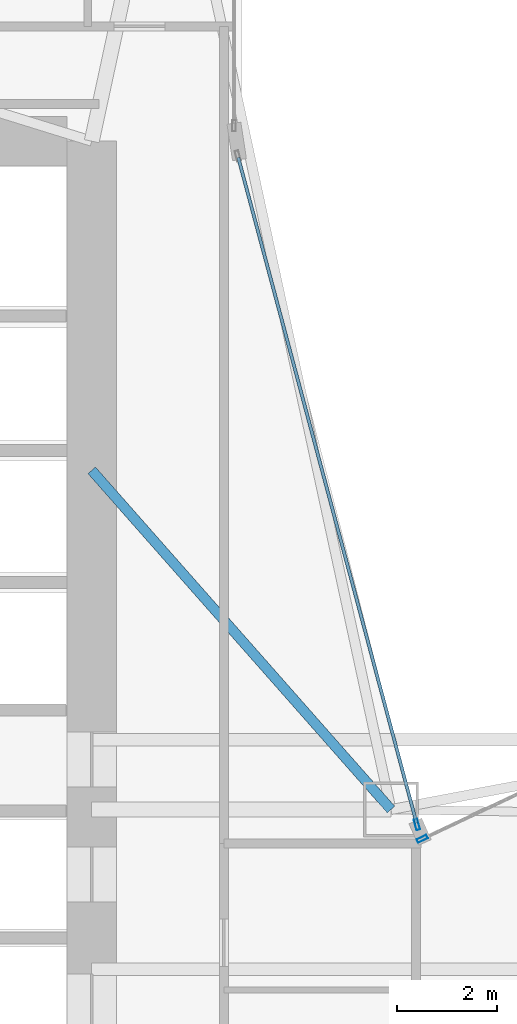
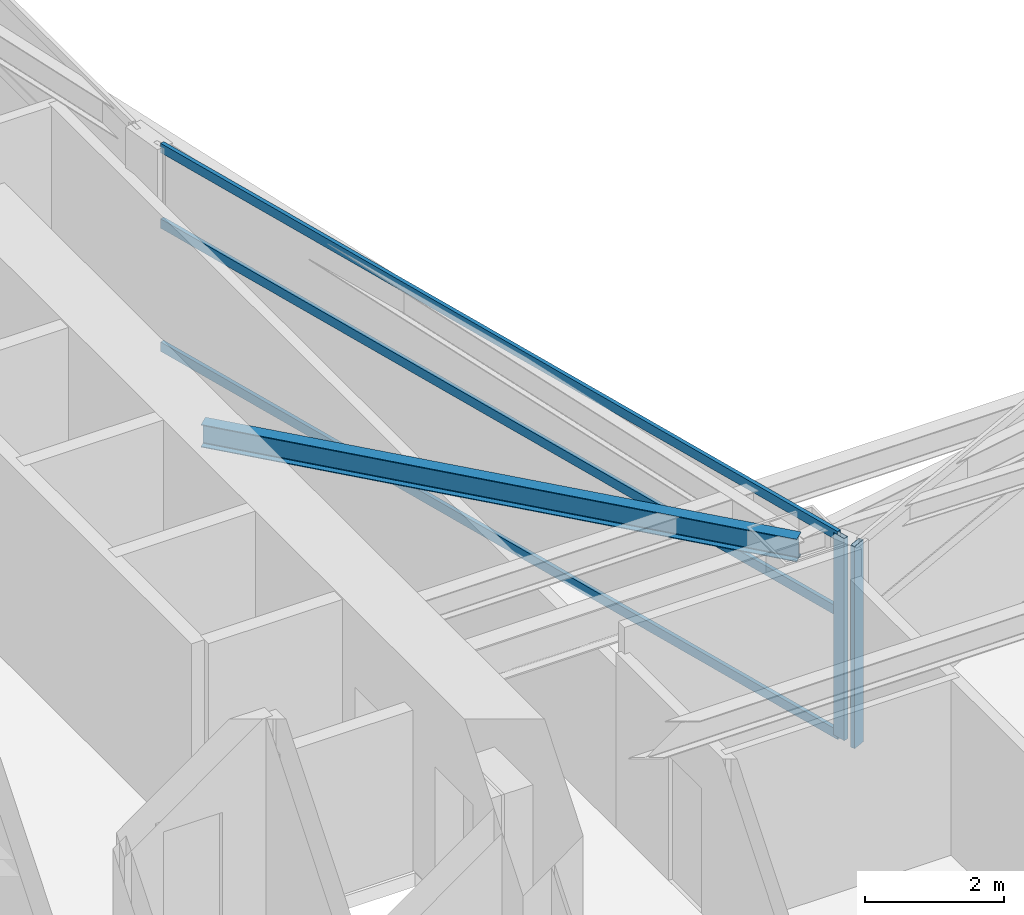
# One storey, part 10 of 29: 5 members, 1 beam, 2 elements without a shape of their own.
"""IFC4 building model written with IfcOpenShell, lengths in metres."""

import ifcopenshell
import ifcopenshell.guid

model = None  # the IFC model being written
_history = None  # IfcOwnerHistory: only IFC2X3 demands one
_inside = {}  # id of a spatial element -> (the spatial element, [elements in it])
_under = {}  # id of a project, library or spatial element -> (it, [spatial elements below it])
_declared = {}  # id of a project -> (the project, [libraries it declares])
_typed = {}  # id of a type object -> (the type object, [elements of that type])
_made_of = {}  # id of a material, layer set ... -> (it, [elements and type objects made of it])


def new_model(schema):
    """Start an empty IFC model of exactly this schema.

    Asked for "IFC4X3", IfcOpenShell would pick the latest addendum, in which some entities
    have other attributes; the version numbers below select the first issue.
    IFC2X3 requires an IfcOwnerHistory on every rooted entity: one is made here for all.
    """
    global model, _history
    if schema == "IFC4X3":
        model = ifcopenshell.file(schema_version=(4, 3, 0, 0))
    else:
        model = ifcopenshell.file(schema=schema)
    _inside.clear()
    _under.clear()
    _declared.clear()
    _typed.clear()
    _made_of.clear()
    _history = None
    if model.schema == "IFC2X3":
        org = make("IfcOrganization", Name="unknown")
        user = make(
            "IfcPersonAndOrganization",
            ThePerson=make("IfcPerson", FamilyName="unknown"),
            TheOrganization=org,
        )
        app = make(
            "IfcApplication",
            ApplicationDeveloper=org,
            Version="unknown",
            ApplicationFullName="unknown",
            ApplicationIdentifier="unknown",
        )
        _history = make(
            "IfcOwnerHistory",
            OwningUser=user,
            OwningApplication=app,
            ChangeAction="ADDED",
            CreationDate=0,
        )
    return model


def make(cls, **values):
    """One entity of the class cls with the attributes given. An attribute that is None is left unset."""
    return model.create_entity(
        cls, **{name: value for name, value in values.items() if value is not None}
    )


def rooted(cls, **values):
    """An entity with a GlobalId (a new one), such as an element, a storey or a relation."""
    return make(cls, GlobalId=ifcopenshell.guid.new(), OwnerHistory=_history, **values)


def si_unit(unit_type, name, prefix=None):
    """IfcSIUnit, for example si_unit("LENGTHUNIT", "METRE", prefix="MILLI")."""
    return make("IfcSIUnit", UnitType=unit_type, Prefix=prefix, Name=name)


def assignment(units):
    """IfcUnitAssignment: the units of a project."""
    return None if units is None else make("IfcUnitAssignment", Units=units)


def point(xyz):
    """IfcCartesianPoint."""
    return None if xyz is None else make("IfcCartesianPoint", Coordinates=xyz)


def direction(xyz):
    """IfcDirection."""
    return None if xyz is None else make("IfcDirection", DirectionRatios=xyz)


def frame(location, z_axis=None, x_axis=None):
    """IfcAxis2Placement3D, a coordinate frame: its origin and axes. An axis left out is left unset."""
    return make(
        "IfcAxis2Placement3D",
        Location=point(location),
        Axis=direction(z_axis),
        RefDirection=direction(x_axis),
    )


def frame_2d(location, x_axis=None):
    """IfcAxis2Placement2D, a coordinate frame in the plane: its origin and x axis."""
    return make(
        "IfcAxis2Placement2D", Location=point(location), RefDirection=direction(x_axis)
    )


def origin():
    """The frame at (0, 0, 0) with its axes left unset."""
    return frame((0.0, 0.0, 0.0))


def origin_2d():
    """The frame at (0, 0) in the plane with its x axis left unset."""
    return frame_2d((0.0, 0.0))


def place(relative_to, where):
    """IfcLocalPlacement: puts the frame where relative to a parent placement (None: the world)."""
    return make(
        "IfcLocalPlacement", PlacementRelTo=relative_to, RelativePlacement=where
    )


def context(
    kind, dimensions, precision=None, world=None, true_north=None, identifier=None
):
    """IfcGeometricRepresentationContext, for example the 3D "Model" context."""
    return make(
        "IfcGeometricRepresentationContext",
        ContextIdentifier=identifier,
        ContextType=kind,
        CoordinateSpaceDimension=dimensions,
        Precision=precision,
        WorldCoordinateSystem=world,
        TrueNorth=true_north,
    )


def subcontext(parent, identifier, kind, view, scale=None):
    """IfcGeometricRepresentationSubContext, for example "Body" below "Model"."""
    return make(
        "IfcGeometricRepresentationSubContext",
        ContextIdentifier=identifier,
        ContextType=kind,
        ParentContext=parent,
        TargetScale=scale,
        TargetView=view,
    )


def project(units=None, contexts=None):
    """IfcProject with its units and contexts."""
    return rooted(
        "IfcProject",
        Name="project",
        RepresentationContexts=contexts,
        UnitsInContext=assignment(units),
    )


def spatial(cls, under=None, at=None, **own):
    """A site, building, storey or space (cls), placed at a placement, below another one or the project."""
    s = rooted(cls, ObjectPlacement=at, **own)
    if under is not None:
        _under.setdefault(under.id(), (under, []))[1].append(s)
    return s


def profile(cls, at=None, kind="AREA", **sizes):
    """A parametric profile (cls). Its sizes go by their IFC names, for example OverallWidth=200.0."""
    return make(cls, ProfileType=kind, Position=at, **sizes)


def hollow_rectangle(**sizes):
    """IfcRectangleHollowProfileDef."""
    return profile("IfcRectangleHollowProfileDef", **sizes)


def i_section(**sizes):
    """IfcIShapeProfileDef."""
    return profile("IfcIShapeProfileDef", **sizes)


def extrude(swept, where, along, depth):
    """IfcExtrudedAreaSolid: the profile swept, set in the frame where, extruded along a direction by depth."""
    return make(
        "IfcExtrudedAreaSolid",
        SweptArea=swept,
        Position=where,
        ExtrudedDirection=direction(along),
        Depth=depth,
    )


def shape(context_of_items, identifier, shape_type, items):
    """IfcShapeRepresentation: the items that make up one representation, for example the "Body"."""
    return make(
        "IfcShapeRepresentation",
        ContextOfItems=context_of_items,
        RepresentationIdentifier=identifier,
        RepresentationType=shape_type,
        Items=items,
    )


def material(Name=None, Category=None):
    """IfcMaterial."""
    return make("IfcMaterial", Name=Name, Category=Category)


def layer(
    of_material, thickness, ventilated=None, Name=None, Category=None, Priority=None
):
    """IfcMaterialLayer: one layer of a wall or slab, of a material (None: an air gap)."""
    return make(
        "IfcMaterialLayer",
        Material=of_material,
        LayerThickness=thickness,
        IsVentilated=ventilated,
        Name=Name,
        Category=Category,
        Priority=Priority,
    )


def layer_set(layers, Name=None):
    """IfcMaterialLayerSet."""
    return make("IfcMaterialLayerSet", MaterialLayers=layers, LayerSetName=Name)


def material_profile(
    of_material, cross_section, Name=None, Category=None, Priority=None
):
    """IfcMaterialProfile: a cross section and its material."""
    return make(
        "IfcMaterialProfile",
        Name=Name,
        Material=of_material,
        Profile=cross_section,
        Priority=Priority,
        Category=Category,
    )


def profile_set(profiles, Name=None, composite=None):
    """IfcMaterialProfileSet."""
    return make(
        "IfcMaterialProfileSet",
        Name=Name,
        MaterialProfiles=profiles,
        CompositeProfile=composite,
    )


def made_of(thing, what):
    """Note that an element or type object is made of a material, layer set ...; save() writes the relation."""
    if what is not None:
        _made_of.setdefault(what.id(), (what, []))[1].append(thing)
    return thing


def type_object(cls, material=None, **own):
    """A type object (cls), such as IfcWallType, which elements share."""
    return made_of(rooted(cls, **own), material)


def element(
    cls,
    number,
    at=None,
    inside=None,
    cuts=None,
    type_object=None,
    material=None,
    context=None,
    identifier="Body",
    shape_type=None,
    held_by="IfcProductDefinitionShape",
    body=None,
    shapes=None,
    **own,
):
    """One element of the class cls, such as IfcWall. Its Tag is "e" and its number.

    at: its placement. inside: the storey or other place that contains it. cuts: it is an
    opening in that element (IfcRelVoidsElement). A single representation is given by context,
    identifier, shape_type and body (its items); several are given by shapes. held_by: the class
    of the entity that holds the representations. save() writes the other relations.
    """
    e = rooted(cls, Tag="e%d" % number, ObjectPlacement=at, **own)
    if body is not None:
        shapes = [shape(context, identifier, shape_type, body)]
    if shapes is not None:
        e.Representation = make(held_by, Representations=shapes)
    if inside is not None:
        _inside.setdefault(inside.id(), (inside, []))[1].append(e)
    if cuts is not None:
        rooted(
            "IfcRelVoidsElement", RelatingBuildingElement=cuts, RelatedOpeningElement=e
        )
    if type_object is not None:
        _typed.setdefault(type_object.id(), (type_object, []))[1].append(e)
    return made_of(e, material)


def aggregate(whole, parts):
    """IfcRelAggregates: a whole, such as a stair, and the parts it consists of."""
    return rooted("IfcRelAggregates", RelatingObject=whole, RelatedObjects=parts)


def save(model, path):
    """Write the relations noted so far, then the file.

    IfcRelAggregates (storeys below a building ...), IfcRelContainedInSpatialStructure (elements
    in a storey), IfcRelDefinesByType, IfcRelAssociatesMaterial and IfcRelDeclares: one each for
    every whole, place, type object, material and project.
    """
    for whole, parts in _under.values():
        aggregate(whole, parts)
    for where, things in _inside.values():
        rooted(
            "IfcRelContainedInSpatialStructure",
            RelatedElements=things,
            RelatingStructure=where,
        )
    for kind, things in _typed.values():
        rooted("IfcRelDefinesByType", RelatedObjects=things, RelatingType=kind)
    for what, things in _made_of.values():
        rooted("IfcRelAssociatesMaterial", RelatedObjects=things, RelatingMaterial=what)
    for by, libraries in _declared.values():
        rooted("IfcRelDeclares", RelatingContext=by, RelatedDefinitions=libraries)
    model.write(path)


model = new_model("IFC4")

# Units and contexts
model_context = context("Model", 3, precision=1e-05, world=origin(), true_north=direction((0.0, 1.0)))
body_context = subcontext(model_context, "Body", "Model", "MODEL_VIEW")
ifc_project = project(units=[si_unit("LENGTHUNIT", "METRE"), si_unit("AREAUNIT", "SQUARE_METRE"), si_unit("VOLUMEUNIT", "CUBIC_METRE"), si_unit("PLANEANGLEUNIT", "RADIAN"), si_unit("MASSUNIT", "GRAM", prefix="KILO")], contexts=[model_context])

# Site, building, storey
site_placement = place(None, origin())
site = spatial("IfcSite", under=ifc_project, at=site_placement, CompositionType="ELEMENT")
building_placement = place(site_placement, origin())
building = spatial("IfcBuilding", under=site, at=building_placement, Name="Calvorn Quay Hotel", CompositionType="ELEMENT")
storey_placement = place(building_placement, frame((0.0, 0.0, 85.0)))
storey = spatial("IfcBuildingStorey", under=building, at=storey_placement, Name="L20", CompositionType="ELEMENT", Elevation=85.0)

# Beam
ifc_material_1 = material(Name="Steel Q355B", Category="steel")
ifc_material_profile_1 = material_profile(ifc_material_1, i_section(OverallWidth=0.199951171875, OverallDepth=0.39990234375, WebThickness=0.008056640625, FlangeThickness=0.012939453125, FilletRadius=0.01611328125, at=origin_2d()), Name="HN400x200x8x13")
ifc_profile_set_1 = profile_set([ifc_material_profile_1], Name="Steel Q355B")
beam_type = type_object("IfcBeamType", Name="BM-JOIST-TYP", PredefinedType="JOIST", material=ifc_profile_set_1)
beam_placement = place(storey_placement, frame((15.0, 31.800048828125, 3.340087890625), z_axis=(0.661618965899, -0.749840212287, 0.0), x_axis=(0.749840212287, 0.661618965899, 0.0)))
element("IfcBeam", 1, at=beam_placement, inside=storey, type_object=beam_type, Name="Beam BJ-L20-C1", PredefinedType="JOIST", context=body_context, shape_type="SweptSolid", body=[
    extrude(i_section(OverallWidth=0.199951171875, OverallDepth=0.39990234375, WebThickness=0.008056640625, FlangeThickness=0.012939453125, FilletRadius=0.01611328125, at=origin_2d()), origin(), (0.0, 0.0, 1.0), 9.068603515625),
])

# Curtain wall, member
ifc_material_2 = material(Name="Pale Anodised Aluminium and Low-E Glass", Category="aluminium")
ifc_layer = layer(ifc_material_2, 0.219970703125)
ifc_layer_set = layer_set([ifc_layer], Name="CW-SYS-Z1")
curtain_wall_type = type_object("IfcCurtainWallType", Name="CW-SYS-Z1", PredefinedType="NOTDEFINED", material=ifc_layer_set)
curtain_wall_1_placement = place(storey_placement, origin())
curtain_wall_1 = element("IfcCurtainWall", 2, at=curtain_wall_1_placement, inside=storey, type_object=curtain_wall_type, Name="Inner Court Curtain Wall L20-NE1", PredefinedType="NOTDEFINED")
ifc_material_3 = material(Name="Pale Anodised Aluminium 6063-T6", Category="aluminium")
ifc_material_profile_2 = material_profile(ifc_material_3, hollow_rectangle(XDim=0.074951171875, YDim=0.219970703125, WallThickness=0.00439453125, at=origin_2d()), Name="ALU-M220x75x4.5")
ifc_profile_set_2 = profile_set([ifc_material_profile_2], Name="Pale Anodised Aluminium 6063-T6")
member_type_1 = type_object("IfcMemberType", Name="CW-SYS-Z1-MUL", PredefinedType="MULLION", material=ifc_profile_set_2)
member_1_placement = place(storey_placement, frame((21.627197265625, 24.412841796875, 0.0), z_axis=(0.0, 0.0, 1.0), x_axis=(0.427006305415, -0.904248646743, 0.0)))
member_1 = element("IfcMember", 3, at=member_1_placement, type_object=member_type_1, Name="CW-L20-NE1 mullion 4", PredefinedType="MULLION", context=body_context, shape_type="SweptSolid", body=[
    extrude(hollow_rectangle(XDim=0.074951171875, YDim=0.219970703125, WallThickness=0.00439453125, at=origin_2d()), origin(), (0.0, 0.0, 1.0), 3.56005859375),
])
aggregate(curtain_wall_1, [member_1])

# Curtain wall, members
curtain_wall_2_placement = place(storey_placement, origin())
curtain_wall_2 = element("IfcCurtainWall", 4, at=curtain_wall_2_placement, inside=storey, type_object=curtain_wall_type, Name="Inner Court Curtain Wall L20-IC1", PredefinedType="NOTDEFINED")
member_2_placement = place(storey_placement, frame((21.520263671875, 24.698974609375, 0.0), z_axis=(0.0, 0.0, 1.0), x_axis=(-0.96593652056, -0.25877913024, 0.0)))
member_2 = element("IfcMember", 5, at=member_2_placement, type_object=member_type_1, Name="CW-L20-IC1 mullion 1", PredefinedType="MULLION", context=body_context, shape_type="SweptSolid", body=[
    extrude(hollow_rectangle(XDim=0.074951171875, YDim=0.219970703125, WallThickness=0.00439453125, at=origin_2d()), origin(), (0.0, 0.0, 1.0), 3.56005859375),
])
ifc_material_4 = material(Name="Pale Anodised Aluminium 6063-T6", Category="aluminium")
ifc_material_profile_3 = material_profile(ifc_material_4, hollow_rectangle(XDim=0.06494140625, YDim=0.1650390625, WallThickness=0.00341796875, at=origin_2d()), Name="ALU-T165x65x3.5")
ifc_profile_set_3 = profile_set([ifc_material_profile_3], Name="Pale Anodised Aluminium 6063-T6")
member_type_2 = type_object("IfcMemberType", Name="CW-SYS-Z1-TRN", PredefinedType="USERDEFINED", material=ifc_profile_set_3)
member_3_placement = place(storey_placement, frame((21.512451171875, 24.72802734375, 0.030029296875), z_axis=(-0.258781136883, 0.965935982969, 0.0), x_axis=(-0.965935982969, -0.258781136883, 0.0)))
member_3 = element("IfcMember", 6, at=member_3_placement, type_object=member_type_2, Name="CW-L20-IC1 transom 1.1", ObjectType="TRANSOM", PredefinedType="USERDEFINED", context=body_context, shape_type="SweptSolid", body=[
    extrude(hollow_rectangle(XDim=0.06494140625, YDim=0.1650390625, WallThickness=0.00341796875, at=origin_2d()), origin(), (0.0, 0.0, 1.0), 13.814453125),
])
member_4_placement = place(storey_placement, frame((21.512451171875, 24.72802734375, 2.199951171875), z_axis=(-0.258781136883, 0.965935982969, 0.0), x_axis=(-0.965935982969, -0.258781136883, 0.0)))
member_4 = element("IfcMember", 7, at=member_4_placement, type_object=member_type_2, Name="CW-L20-IC1 transom 1.2", ObjectType="TRANSOM", PredefinedType="USERDEFINED", context=body_context, shape_type="SweptSolid", body=[
    extrude(hollow_rectangle(XDim=0.06494140625, YDim=0.1650390625, WallThickness=0.00341796875, at=origin_2d()), origin(), (0.0, 0.0, 1.0), 13.814453125),
])
member_5_placement = place(storey_placement, frame((21.512451171875, 24.72802734375, 3.530029296875), z_axis=(-0.258781136883, 0.965935982969, 0.0), x_axis=(-0.965935982969, -0.258781136883, 0.0)))
member_5 = element("IfcMember", 8, at=member_5_placement, type_object=member_type_2, Name="CW-L20-IC1 transom 1.3", ObjectType="TRANSOM", PredefinedType="USERDEFINED", context=body_context, shape_type="SweptSolid", body=[
    extrude(hollow_rectangle(XDim=0.06494140625, YDim=0.1650390625, WallThickness=0.00341796875, at=origin_2d()), origin(), (0.0, 0.0, 1.0), 13.814453125),
])
aggregate(curtain_wall_2, [member_2, member_3, member_4, member_5])

save(model, "model.ifc")
